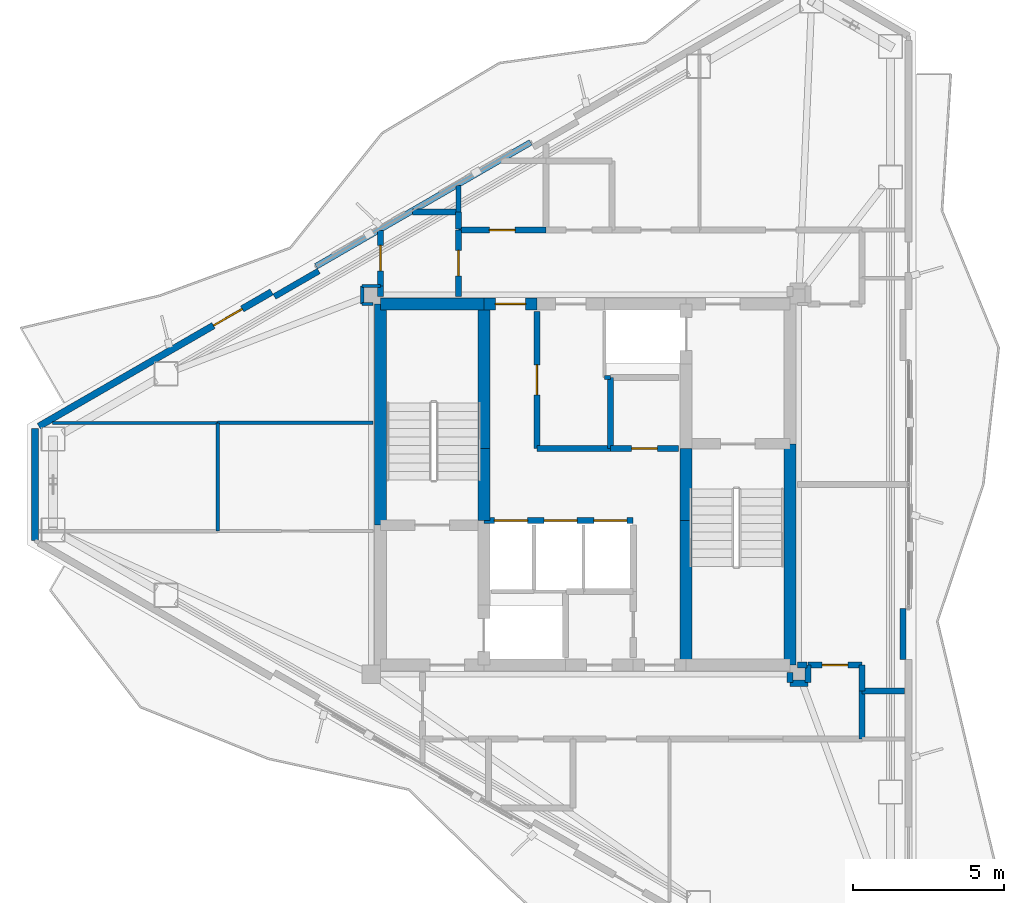
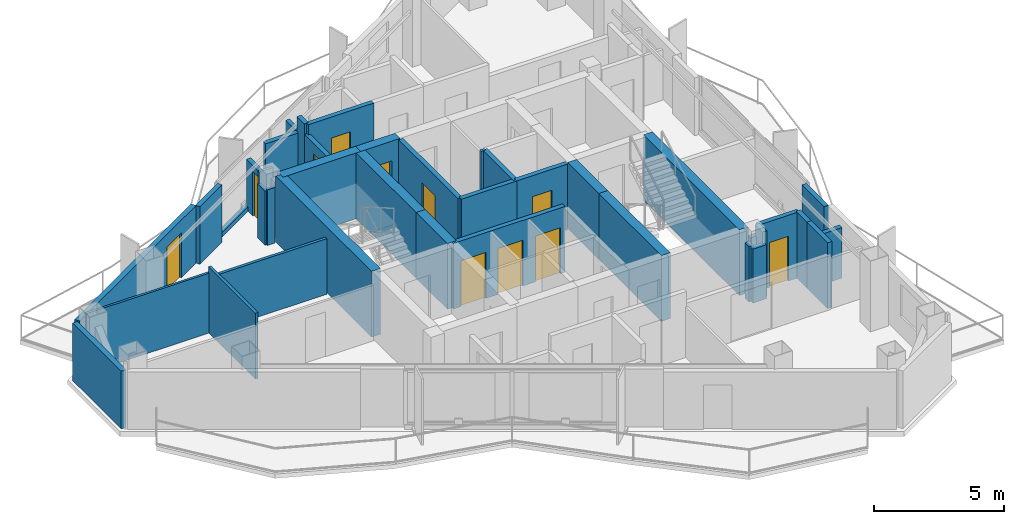
# One storey, part 15 of 18: 40 walls, 11 doors, 11 openings.
"""IFC4 building model written with IfcOpenShell, lengths in metres."""

from ifc_helpers import new_model, si_unit, direction, frame, frame_2d, origin, place, context, subcontext, project, spatial, rectangle, extrude, material, layer, layer_set, type_object, element, fill, save


model = new_model("IFC4")

# Units and contexts
model_context = context("Model", 3, precision=1e-05, world=origin(), true_north=direction((0.0, 1.0)))
body_context = subcontext(model_context, "Body", "Model", "MODEL_VIEW")
ifc_project = project(units=[si_unit("LENGTHUNIT", "METRE"), si_unit("AREAUNIT", "SQUARE_METRE"), si_unit("VOLUMEUNIT", "CUBIC_METRE"), si_unit("PLANEANGLEUNIT", "RADIAN"), si_unit("MASSUNIT", "GRAM", prefix="KILO")], contexts=[model_context])

# Site, building, storey
site_placement = place(None, origin())
site = spatial("IfcSite", under=ifc_project, at=site_placement, CompositionType="ELEMENT")
building_placement = place(site_placement, origin())
building = spatial("IfcBuilding", under=site, at=building_placement, Name="Mersakhor Tower and Convention Hall", CompositionType="ELEMENT")
storey_placement = place(building_placement, frame((0.0, 0.0, 236.39990234375)))
storey = spatial("IfcBuildingStorey", under=building, at=storey_placement, Name="L66", CompositionType="ELEMENT", Elevation=236.39990234375)

# Wall
ifc_material_1 = material(Name="Precast concrete C40/50", Category="concrete")
ifc_layer_1 = layer(ifc_material_1, 0.22509765625)
ifc_layer_set_1 = layer_set([ifc_layer_1], Name="Precast concrete C40/50")
wall_type_1 = type_object("IfcWallType", Name="WL-EXT-225", PredefinedType="SOLIDWALL", material=ifc_layer_set_1)
wall_1_placement = place(storey_placement, frame((10.73193359375, 24.892333984375, 0.0), z_axis=(0.0, 0.0, 1.0), x_axis=(0.0, 1.0, 0.0)))
element("IfcWall", 1, at=wall_1_placement, inside=storey, type_object=wall_type_1, Name="L66 Chamfer Braced Spandrel Wall C3", PredefinedType="SOLIDWALL", context=body_context, shape_type="SweptSolid", body=[
    extrude(rectangle(XDim=3.71533203125, YDim=0.22509765625, at=frame_2d((1.857666015625, 0.0))), origin(), (0.0, 0.0, 1.0), 2.7001953125),
])

# Wall, opening, door
wall_2_placement = place(storey_placement, frame((10.86181640625, 28.6826171875, 0.0), z_axis=(0.0, 0.0, 1.0), x_axis=(0.866026655105, 0.499997832642, 0.0)))
wall_2 = element("IfcWall", 2, at=wall_2_placement, inside=storey, type_object=wall_type_1, Name="L66 Exterior Facade Wall F1-B1", PredefinedType="SOLIDWALL", context=body_context, shape_type="SweptSolid", body=[
    extrude(rectangle(XDim=8.927734375, YDim=0.22509765625, at=frame_2d((4.4638671875, 0.0))), origin(), (0.0, 0.0, 1.0), 2.7001953125),
])
opening_1_placement = place(wall_2_placement, frame((6.696044921875, 0.0, 0.0)))
opening_1 = element("IfcOpeningElement", 3, at=opening_1_placement, cuts=wall_2, Name="Opening BD-02", PredefinedType="OPENING", context=body_context, shape_type="SweptSolid", body=[
    extrude(rectangle(XDim=1.10009765625, YDim=2.10009765625, at=frame_2d((0.550048828125, 1.050048828125))), frame((0.0, 0.12255859375, 0.0), z_axis=(0.0, -1.0, 0.0), x_axis=(1.0, 0.0, 0.0)), (0.0, 0.0, 1.0), 0.2451171875),
])
ifc_material_2 = material(Name="Thermally broken dark aluminium and safety glass", Category="aluminium")
door_type_1 = type_object("IfcDoorType", Name="DR-BAL-110x210", OperationType="NOTDEFINED", PredefinedType="DOOR", material=ifc_material_2)
door_1_placement = place(opening_1_placement, origin())
door_1 = element("IfcDoor", 4, at=door_1_placement, inside=storey, type_object=door_type_1, Name="L66 Balcony Terrace Door F1-B1", OperationType="SINGLE_SWING_RIGHT", OverallHeight=2.10009765625, OverallWidth=1.10009765625, PredefinedType="DOOR", context=body_context, shape_type="SweptSolid", body=[
    extrude(rectangle(XDim=1.10009765625, YDim=2.10009765625, at=frame_2d((0.550048828125, 1.050048828125))), frame((0.0, 0.02490234375, 0.0), z_axis=(0.0, -1.0, 0.0), x_axis=(1.0, 0.0, 0.0)), (0.0, 0.0, 1.0), 0.050048828125),
])
fill(opening_1, door_1)

# Walls
ifc_material_3 = material(Name="Precast concrete C40/50", Category="concrete")
ifc_layer_2 = layer(ifc_material_3, 0.199951171875)
ifc_layer_set_2 = layer_set([ifc_layer_2], Name="Precast concrete C40/50")
wall_type_2 = type_object("IfcWallType", Name="WL-PAR-200", PredefinedType="PARAPET", material=ifc_layer_set_2)
wall_3_placement = place(storey_placement, frame((20.06591796875, 33.99658203125, 0.0), z_axis=(0.0, 0.0, 1.0), x_axis=(0.866019557082, 0.500010126649, 0.0)))
element("IfcWall", 5, at=wall_3_placement, inside=storey, type_object=wall_type_2, Name="L66 Curtain Wall Upstand Sill F1-B2", PredefinedType="PARAPET", context=body_context, shape_type="SweptSolid", body=[
    extrude(rectangle(XDim=8.227783203125, YDim=0.199951171875, at=frame_2d((4.11376953125, 0.0))), origin(), (0.0, 0.0, 1.0), 0.2001953125),
])
wall_4_placement = place(storey_placement, frame((18.68359375, 32.99072265625, 0.0), z_axis=(0.0, 0.0, 1.0), x_axis=(0.866025371046, 0.500000056704, 0.0)))
element("IfcWall", 6, at=wall_4_placement, inside=storey, type_object=wall_type_2, Name="L66 Column Pier Cladding Wall F1-C1", PredefinedType="PARAPET", context=body_context, shape_type="SweptSolid", body=[
    extrude(rectangle(XDim=1.7001953125, YDim=0.199951171875, at=frame_2d((0.85009765625, 0.0))), origin(), (0.0, 0.0, 1.0), 2.7001953125),
])
wall_5_placement = place(storey_placement, frame((39.562744140625, 22.635986328125, 0.0), z_axis=(0.0, 0.0, 1.0), x_axis=(0.0, -1.0, 0.0)))
element("IfcWall", 7, at=wall_5_placement, inside=storey, type_object=wall_type_2, Name="L66 Column Pier Cladding Wall F2-C2", PredefinedType="PARAPET", context=body_context, shape_type="SweptSolid", body=[
    extrude(rectangle(XDim=1.699951171875, YDim=0.199951171875, at=frame_2d((0.85009765625, 0.0))), origin(), (0.0, 0.0, 1.0), 2.7001953125),
])
ifc_material_4 = material(Name="Moisture-resistant acoustic drywall studwork", Category="other")
ifc_layer_3 = layer(ifc_material_4, 0.175048828125)
ifc_layer_set_3 = layer_set([ifc_layer_3], Name="Moisture-resistant acoustic drywall studwork")
wall_type_3 = type_object("IfcWallType", Name="WL-PLM-175", PredefinedType="PLUMBINGWALL", material=ifc_layer_set_3)
wall_6_placement = place(storey_placement, frame((24.800048828125, 35.800048828125, 0.0), z_axis=(0.0, 0.0, 1.0), x_axis=(0.0, 1.0, 0.0)))
element("IfcWall", 8, at=wall_6_placement, inside=storey, type_object=wall_type_3, Name="L66 Interior Partition Wall P-040", PredefinedType="PLUMBINGWALL", context=body_context, shape_type="SweptSolid", body=[
    extrude(rectangle(XDim=0.883544921875, YDim=0.175048828125, at=frame_2d((0.44189453125, 0.0))), origin(), (0.0, 0.0, 1.0), 2.364990234375),
])
ifc_material_5 = material(Name="Lightweight gypsum partition", Category="other")
ifc_layer_4 = layer(ifc_material_5, 0.10009765625)
ifc_layer_set_4 = layer_set([ifc_layer_4], Name="Lightweight gypsum partition")
wall_type_4 = type_object("IfcWallType", Name="WL-PRT-100", PredefinedType="PARTITIONING", material=ifc_layer_set_4)
wall_7_placement = place(storey_placement, frame((22.199951171875, 33.35009765625, 0.0), z_axis=(0.0, 0.0, 1.0), x_axis=(-1.0, 0.0, 0.0)))
element("IfcWall", 9, at=wall_7_placement, inside=storey, type_object=wall_type_4, Name="L66 Interior Partition Wall P-066", PredefinedType="PARTITIONING", context=body_context, shape_type="SweptSolid", body=[
    extrude(rectangle(XDim=0.599853515625, YDim=0.10009765625, at=frame_2d((0.2998046875, 0.0))), origin(), (0.0, 0.0, 1.0), 3.080078125),
])
wall_8_placement = place(storey_placement, frame((21.60009765625, 32.75, 0.0), z_axis=(0.0, 0.0, 1.0), x_axis=(1.0, 0.0, 0.0)))
element("IfcWall", 10, at=wall_8_placement, inside=storey, type_object=wall_type_4, Name="L66 Interior Partition Wall P-068", PredefinedType="PARTITIONING", context=body_context, shape_type="SweptSolid", body=[
    extrude(rectangle(XDim=0.349853515625, YDim=0.10009765625, at=frame_2d((0.1748046875, 0.0))), origin(), (0.0, 0.0, 1.0), 2.60498046875),
])
wall_9_placement = place(storey_placement, frame((16.800048828125, 28.800048828125, 0.0), z_axis=(0.0, 0.0, 1.0), x_axis=(-1.0, 0.0, 0.0)))
element("IfcWall", 11, at=wall_9_placement, inside=storey, type_object=wall_type_4, Name="L66 Interior Partition Wall P-070", PredefinedType="PARTITIONING", context=body_context, shape_type="SweptSolid", body=[
    extrude(rectangle(XDim=5.48681640625, YDim=0.10009765625, at=frame_2d((2.743408203125, 0.0))), origin(), (0.0, 0.0, 1.0), 2.8046875),
])
ifc_material_6 = material(Name="Gypsum board acoustic partition", Category="other")
ifc_layer_5 = layer(ifc_material_6, 0.125)
ifc_layer_set_5 = layer_set([ifc_layer_5], Name="Gypsum board acoustic partition")
wall_type_5 = type_object("IfcWallType", Name="WL-PRT-125", PredefinedType="PARTITIONING", material=ifc_layer_set_5)
wall_10_placement = place(storey_placement, frame((29.85009765625, 30.300048828125, 0.0), z_axis=(0.0, 0.0, 1.0), x_axis=(-1.0, 0.0, 0.0)))
element("IfcWall", 12, at=wall_10_placement, inside=storey, type_object=wall_type_5, Name="L66 Interior Partition Wall P-005", PredefinedType="PARTITIONING", context=body_context, shape_type="SweptSolid", body=[
    extrude(rectangle(XDim=0.2001953125, YDim=0.125, at=frame_2d((0.10009765625, 0.0))), origin(), (0.0, 0.0, 1.0), 3.080078125),
])
wall_11_placement = place(storey_placement, frame((21.60009765625, 33.35009765625, 0.0), z_axis=(0.0, 0.0, 1.0), x_axis=(0.0, -1.0, 0.0)))
element("IfcWall", 13, at=wall_11_placement, inside=storey, type_object=wall_type_5, Name="L66 Interior Partition Wall P-067", PredefinedType="PARTITIONING", context=body_context, shape_type="SweptSolid", body=[
    extrude(rectangle(XDim=0.60009765625, YDim=0.125, at=frame_2d((0.300048828125, 0.0))), origin(), (0.0, 0.0, 1.0), 2.5283203125),
])
wall_12_placement = place(storey_placement, frame((21.949951171875, 28.800048828125, 0.0), z_axis=(0.0, 0.0, 1.0), x_axis=(-1.0, 0.0, 0.0)))
element("IfcWall", 14, at=wall_12_placement, inside=storey, type_object=wall_type_5, Name="L66 Interior Partition Wall P-069", PredefinedType="PARTITIONING", context=body_context, shape_type="SweptSolid", body=[
    extrude(rectangle(XDim=5.14990234375, YDim=0.125, at=frame_2d((2.574951171875, 0.0))), origin(), (0.0, 0.0, 1.0), 2.60498046875),
])
wall_13_placement = place(storey_placement, frame((16.800048828125, 25.199951171875, 0.0), z_axis=(0.0, 0.0, 1.0), x_axis=(0.0, 1.0, 0.0)))
element("IfcWall", 15, at=wall_13_placement, inside=storey, type_object=wall_type_5, Name="L66 Interior Partition Wall P-071", PredefinedType="PARTITIONING", context=body_context, shape_type="SweptSolid", body=[
    extrude(rectangle(XDim=3.60009765625, YDim=0.125, at=frame_2d((1.800048828125, 0.0))), origin(), (0.0, 0.0, 1.0), 3.080078125),
])

# Wall, openings, doors
ifc_material_7 = material(Name="Acoustic concrete blockwork and gypsum board", Category="masonry")
ifc_layer_6 = layer(ifc_material_7, 0.199951171875)
ifc_layer_set_6 = layer_set([ifc_layer_6], Name="Acoustic concrete blockwork and gypsum board")
wall_type_6 = type_object("IfcWallType", Name="WL-PRT-200", PredefinedType="PARTITIONING", material=ifc_layer_set_6)
wall_14_placement = place(storey_placement, frame((25.64990234375, 25.550048828125, 0.0), z_axis=(0.0, 0.0, 1.0), x_axis=(1.0, 0.0, 0.0)))
wall_14 = element("IfcWall", 16, at=wall_14_placement, inside=storey, type_object=wall_type_6, Name="L66 High-Rise Lift Bank Front Wall", PredefinedType="PARTITIONING", context=body_context, shape_type="SweptSolid", body=[
    extrude(rectangle(XDim=4.9501953125, YDim=0.199951171875, at=frame_2d((2.47509765625, 0.0))), origin(), (0.0, 0.0, 1.0), 3.080078125),
])
opening_2_placement = place(wall_14_placement, frame((0.340087890625, 0.0, 0.0)))
opening_2 = element("IfcOpeningElement", 17, at=opening_2_placement, cuts=wall_14, Name="Opening LD-P4", PredefinedType="OPENING", context=body_context, shape_type="SweptSolid", body=[
    extrude(rectangle(XDim=1.10009765625, YDim=2.14990234375, at=frame_2d((0.550048828125, 1.074951171875))), frame((0.0, 0.10986328125, 0.0), z_axis=(0.0, -1.0, 0.0), x_axis=(1.0, 0.0, 0.0)), (0.0, 0.0, 1.0), 0.219970703125),
])
opening_3_placement = place(wall_14_placement, frame((1.989990234375, 0.0, 0.0)))
opening_3 = element("IfcOpeningElement", 18, at=opening_3_placement, cuts=wall_14, Name="Opening LD-P5", PredefinedType="OPENING", context=body_context, shape_type="SweptSolid", body=[
    extrude(rectangle(XDim=1.10009765625, YDim=2.14990234375, at=frame_2d((0.550048828125, 1.074951171875))), frame((0.0, 0.10986328125, 0.0), z_axis=(0.0, -1.0, 0.0), x_axis=(1.0, 0.0, 0.0)), (0.0, 0.0, 1.0), 0.219970703125),
])
opening_4_placement = place(wall_14_placement, frame((3.639892578125, 0.0, 0.0)))
opening_4 = element("IfcOpeningElement", 19, at=opening_4_placement, cuts=wall_14, Name="Opening LD-P6", PredefinedType="OPENING", context=body_context, shape_type="SweptSolid", body=[
    extrude(rectangle(XDim=1.10009765625, YDim=2.14990234375, at=frame_2d((0.550048828125, 1.074951171875))), frame((0.0, 0.10986328125, 0.0), z_axis=(0.0, -1.0, 0.0), x_axis=(1.0, 0.0, 0.0)), (0.0, 0.0, 1.0), 0.219970703125),
])
ifc_material_8 = material(Name="Fire-rated brushed stainless steel sliding landing door", Category="steel")
door_type_2 = type_object("IfcDoorType", Name="DR-LIFT-SLD-110x215", OperationType="NOTDEFINED", PredefinedType="DOOR", material=ifc_material_8)
door_2_placement = place(opening_2_placement, origin())
door_2 = element("IfcDoor", 20, at=door_2_placement, inside=storey, type_object=door_type_2, Name="L66 Lift Landing Door LD-P4", OperationType="SLIDING_TO_LEFT", OverallHeight=2.14990234375, OverallWidth=1.10009765625, PredefinedType="DOOR", context=body_context, shape_type="SweptSolid", body=[
    extrude(rectangle(XDim=1.10009765625, YDim=2.14990234375, at=frame_2d((0.550048828125, 1.074951171875))), frame((0.0, 0.02490234375, 0.0), z_axis=(0.0, -1.0, 0.0), x_axis=(1.0, 0.0, 0.0)), (0.0, 0.0, 1.0), 0.050048828125),
])
fill(opening_2, door_2)
door_3_placement = place(opening_3_placement, origin())
door_3 = element("IfcDoor", 21, at=door_3_placement, inside=storey, type_object=door_type_2, Name="L66 Lift Landing Door LD-P5", OperationType="SLIDING_TO_LEFT", OverallHeight=2.14990234375, OverallWidth=1.10009765625, PredefinedType="DOOR", context=body_context, shape_type="SweptSolid", body=[
    extrude(rectangle(XDim=1.10009765625, YDim=2.14990234375, at=frame_2d((0.550048828125, 1.074951171875))), frame((0.0, 0.02490234375, 0.0), z_axis=(0.0, -1.0, 0.0), x_axis=(1.0, 0.0, 0.0)), (0.0, 0.0, 1.0), 0.050048828125),
])
fill(opening_3, door_3)
door_4_placement = place(opening_4_placement, origin())
door_4 = element("IfcDoor", 22, at=door_4_placement, inside=storey, type_object=door_type_2, Name="L66 Lift Landing Door LD-P6", OperationType="SLIDING_TO_LEFT", OverallHeight=2.14990234375, OverallWidth=1.10009765625, PredefinedType="DOOR", context=body_context, shape_type="SweptSolid", body=[
    extrude(rectangle(XDim=1.10009765625, YDim=2.14990234375, at=frame_2d((0.550048828125, 1.074951171875))), frame((0.0, 0.02490234375, 0.0), z_axis=(0.0, -1.0, 0.0), x_axis=(1.0, 0.0, 0.0)), (0.0, 0.0, 1.0), 0.050048828125),
])
fill(opening_4, door_4)

# Wall, opening, door
wall_15_placement = place(storey_placement, frame((27.39990234375, 32.5, 0.0), z_axis=(0.0, 0.0, 1.0), x_axis=(0.0, -1.0, 0.0)))
wall_15 = element("IfcWall", 23, at=wall_15_placement, inside=storey, type_object=wall_type_6, Name="L66 Interior Partition Wall P-013", PredefinedType="PARTITIONING", context=body_context, shape_type="SweptSolid", body=[
    extrude(rectangle(XDim=4.550048828125, YDim=0.199951171875, at=frame_2d((2.27490234375, 0.0))), origin(), (0.0, 0.0, 1.0), 3.080078125),
])
opening_5_placement = place(wall_15_placement, frame((1.77490234375, 0.0, 0.0)))
opening_5 = element("IfcOpeningElement", 24, at=opening_5_placement, cuts=wall_15, Name="Opening FD-01", PredefinedType="OPENING", context=body_context, shape_type="SweptSolid", body=[
    extrude(rectangle(XDim=1.0, YDim=2.14990234375, at=frame_2d((0.5, 1.074951171875))), frame((0.0, 0.10986328125, 0.0), z_axis=(0.0, -1.0, 0.0), x_axis=(1.0, 0.0, 0.0)), (0.0, 0.0, 1.0), 0.219970703125),
])
ifc_material_9 = material(Name="Fire-rated hardwood leaf and painted steel frame", Category="steel")
door_type_3 = type_object("IfcDoorType", Name="DR-INT-FLT-100x215", OperationType="NOTDEFINED", PredefinedType="DOOR", material=ifc_material_9)
door_5_placement = place(opening_5_placement, origin())
door_5 = element("IfcDoor", 25, at=door_5_placement, inside=storey, type_object=door_type_3, Name="L66 Central Passenger Lift Lobby to Communal Resident Laundry Room Door", OperationType="SINGLE_SWING_RIGHT", OverallHeight=2.14990234375, OverallWidth=1.0, PredefinedType="DOOR", context=body_context, shape_type="SweptSolid", body=[
    extrude(rectangle(XDim=1.0, YDim=2.14990234375, at=frame_2d((0.5, 1.074951171875))), frame((0.0, 0.02490234375, 0.0), z_axis=(0.0, -1.0, 0.0), x_axis=(1.0, 0.0, 0.0)), (0.0, 0.0, 1.0), 0.050048828125),
])
fill(opening_5, door_5)

# Wall
wall_16_placement = place(storey_placement, frame((27.39990234375, 27.949951171875, 0.0), z_axis=(0.0, 0.0, 1.0), x_axis=(1.0, 0.0, 0.0)))
element("IfcWall", 26, at=wall_16_placement, inside=storey, type_object=wall_type_6, Name="L66 Interior Partition Wall P-014", PredefinedType="PARTITIONING", context=body_context, shape_type="SweptSolid", body=[
    extrude(rectangle(XDim=2.4501953125, YDim=0.199951171875, at=frame_2d((1.22509765625, 0.0))), origin(), (0.0, 0.0, 1.0), 3.080078125),
])

# Wall, opening, door
wall_17_placement = place(storey_placement, frame((29.85009765625, 27.949951171875, 0.0), z_axis=(0.0, 0.0, 1.0), x_axis=(1.0, 0.0, 0.0)))
wall_17 = element("IfcWall", 27, at=wall_17_placement, inside=storey, type_object=wall_type_6, Name="L66 Interior Partition Wall P-015", PredefinedType="PARTITIONING", context=body_context, shape_type="SweptSolid", body=[
    extrude(rectangle(XDim=2.25, YDim=0.199951171875, at=frame_2d((1.125, 0.0))), origin(), (0.0, 0.0, 1.0), 3.080078125),
])
opening_6_placement = place(wall_17_placement, frame((0.699951171875, 0.0, 0.0)))
opening_6 = element("IfcOpeningElement", 28, at=opening_6_placement, cuts=wall_17, Name="Opening SVD-01", PredefinedType="OPENING", context=body_context, shape_type="SweptSolid", body=[
    extrude(rectangle(XDim=0.85009765625, YDim=2.10009765625, at=frame_2d((0.425048828125, 1.050048828125))), frame((0.0, 0.10986328125, 0.0), z_axis=(0.0, -1.0, 0.0), x_axis=(1.0, 0.0, 0.0)), (0.0, 0.0, 1.0), 0.219970703125),
])
ifc_material_10 = material(Name="Fire-rated hardwood leaf and painted steel frame", Category="steel")
door_type_4 = type_object("IfcDoorType", Name="DR-INT-SVC-085x210", OperationType="NOTDEFINED", PredefinedType="DOOR", material=ifc_material_10)
door_6_placement = place(opening_6_placement, origin())
door_6 = element("IfcDoor", 29, at=door_6_placement, inside=storey, type_object=door_type_4, Name="L66 Central Passenger Lift Lobby to Resident Pram and Linen Store Room Door", OperationType="SINGLE_SWING_LEFT", OverallHeight=2.10009765625, OverallWidth=0.85009765625, PredefinedType="DOOR", context=body_context, shape_type="SweptSolid", body=[
    extrude(rectangle(XDim=0.85009765625, YDim=2.10009765625, at=frame_2d((0.425048828125, 1.050048828125))), frame((0.0, 0.02490234375, 0.0), z_axis=(0.0, -1.0, 0.0), x_axis=(1.0, 0.0, 0.0)), (0.0, 0.0, 1.0), 0.050048828125),
])
fill(opening_6, door_6)

wall_18_placement = place(storey_placement, frame((24.800048828125, 35.199951171875, 0.0), z_axis=(0.0, 0.0, 1.0), x_axis=(1.0, 0.0, 0.0)))
wall_18 = element("IfcWall", 30, at=wall_18_placement, inside=storey, type_object=wall_type_6, Name="L66 Interior Partition Wall P-016", PredefinedType="PARTITIONING", context=body_context, shape_type="SweptSolid", body=[
    extrude(rectangle(XDim=2.89990234375, YDim=0.199951171875, at=frame_2d((1.449951171875, 0.0))), origin(), (0.0, 0.0, 1.0), 3.080078125),
])
opening_7_placement = place(wall_18_placement, frame((1.02490234375, 0.0, 0.0)))
opening_7 = element("IfcOpeningElement", 31, at=opening_7_placement, cuts=wall_18, Name="Opening SVD-01", PredefinedType="OPENING", context=body_context, shape_type="SweptSolid", body=[
    extrude(rectangle(XDim=0.85009765625, YDim=2.10009765625, at=frame_2d((0.425048828125, 1.050048828125))), frame((0.0, 0.10986328125, 0.0), z_axis=(0.0, -1.0, 0.0), x_axis=(1.0, 0.0, 0.0)), (0.0, 0.0, 1.0), 0.219970703125),
])
door_7_placement = place(opening_7_placement, origin())
door_7 = element("IfcDoor", 32, at=door_7_placement, inside=storey, type_object=door_type_4, Name="L66 Residential North Gallery Corridor to L66 Floor Shared Restroom WC 1-1 Door", OperationType="SINGLE_SWING_LEFT", OverallHeight=2.10009765625, OverallWidth=0.85009765625, PredefinedType="DOOR", context=body_context, shape_type="SweptSolid", body=[
    extrude(rectangle(XDim=0.85009765625, YDim=2.10009765625, at=frame_2d((0.425048828125, 1.050048828125))), frame((0.0, 0.02490234375, 0.0), z_axis=(0.0, -1.0, 0.0), x_axis=(1.0, 0.0, 0.0)), (0.0, 0.0, 1.0), 0.050048828125),
])
fill(opening_7, door_7)

wall_19_placement = place(storey_placement, frame((24.800048828125, 33.0, 0.0), z_axis=(0.0, 0.0, 1.0), x_axis=(0.0, 1.0, 0.0)))
wall_19 = element("IfcWall", 33, at=wall_19_placement, inside=storey, type_object=wall_type_6, Name="L66 Interior Partition Wall P-026", PredefinedType="PARTITIONING", context=body_context, shape_type="SweptSolid", body=[
    extrude(rectangle(XDim=2.199951171875, YDim=0.199951171875, at=frame_2d((1.10009765625, 0.0))), origin(), (0.0, 0.0, 1.0), 2.60498046875),
])
opening_8_placement = place(wall_19_placement, frame((0.675048828125, 0.0, 0.0)))
opening_8 = element("IfcOpeningElement", 34, at=opening_8_placement, cuts=wall_19, Name="Opening SVD-01", PredefinedType="OPENING", context=body_context, shape_type="SweptSolid", body=[
    extrude(rectangle(XDim=0.85009765625, YDim=2.10009765625, at=frame_2d((0.425048828125, 1.050048828125))), frame((0.0, 0.10986328125, 0.0), z_axis=(0.0, -1.0, 0.0), x_axis=(1.0, 0.0, 0.0)), (0.0, 0.0, 1.0), 0.219970703125),
])
door_8_placement = place(opening_8_placement, origin())
door_8 = element("IfcDoor", 35, at=door_8_placement, inside=storey, type_object=door_type_4, Name="L66 Residential North Gallery Corridor to L66 Floor Household Store Room 3-1 Door", OperationType="SINGLE_SWING_LEFT", OverallHeight=2.10009765625, OverallWidth=0.85009765625, PredefinedType="DOOR", context=body_context, shape_type="SweptSolid", body=[
    extrude(rectangle(XDim=0.85009765625, YDim=2.10009765625, at=frame_2d((0.425048828125, 1.050048828125))), frame((0.0, 0.02490234375, 0.0), z_axis=(0.0, -1.0, 0.0), x_axis=(1.0, 0.0, 0.0)), (0.0, 0.0, 1.0), 0.050048828125),
])
fill(opening_8, door_8)

# Walls
wall_20_placement = place(storey_placement, frame((35.800048828125, 20.14990234375, 0.0), z_axis=(0.0, 0.0, 1.0), x_axis=(1.0, 0.0, 0.0)))
element("IfcWall", 36, at=wall_20_placement, inside=storey, type_object=wall_type_6, Name="L66 Interior Partition Wall P-027", PredefinedType="PARTITIONING", context=body_context, shape_type="SweptSolid", body=[
    extrude(rectangle(XDim=0.599853515625, YDim=0.199951171875, at=frame_2d((0.2998046875, 0.0))), origin(), (0.0, 0.0, 1.0), 2.5283203125),
])
wall_21_placement = place(storey_placement, frame((36.39990234375, 20.179931640625, 0.0), z_axis=(0.0, 0.0, 1.0), x_axis=(0.0, 1.0, 0.0)))
element("IfcWall", 37, at=wall_21_placement, inside=storey, type_object=wall_type_6, Name="L66 Interior Partition Wall P-028", PredefinedType="PARTITIONING", context=body_context, shape_type="SweptSolid", body=[
    extrude(rectangle(XDim=0.570068359375, YDim=0.199951171875, at=frame_2d((0.28515625, 0.0))), origin(), (0.0, 0.0, 1.0), 3.080078125),
])

# Wall, opening, door
wall_22_placement = place(storey_placement, frame((36.39990234375, 20.75, 0.0), z_axis=(0.0, 0.0, 1.0), x_axis=(1.0, 0.0, 0.0)))
wall_22 = element("IfcWall", 38, at=wall_22_placement, inside=storey, type_object=wall_type_6, Name="L66 Interior Partition Wall P-029", PredefinedType="PARTITIONING", context=body_context, shape_type="SweptSolid", body=[
    extrude(rectangle(XDim=1.800048828125, YDim=0.199951171875, at=frame_2d((0.89990234375, 0.0))), origin(), (0.0, 0.0, 1.0), 3.080078125),
])
opening_9_placement = place(wall_22_placement, frame((0.47509765625, 0.0, 0.0)))
opening_9 = element("IfcOpeningElement", 39, at=opening_9_placement, cuts=wall_22, Name="Opening SVD-01", PredefinedType="OPENING", context=body_context, shape_type="SweptSolid", body=[
    extrude(rectangle(XDim=0.85009765625, YDim=2.10009765625, at=frame_2d((0.425048828125, 1.050048828125))), frame((0.0, 0.10986328125, 0.0), z_axis=(0.0, -1.0, 0.0), x_axis=(1.0, 0.0, 0.0)), (0.0, 0.0, 1.0), 0.219970703125),
])
door_9_placement = place(opening_9_placement, origin())
door_9 = element("IfcDoor", 40, at=door_9_placement, inside=storey, type_object=door_type_4, Name="L66 Residential South Gallery Corridor to L66 East Crown Household Store Door", OperationType="SINGLE_SWING_RIGHT", OverallHeight=2.10009765625, OverallWidth=0.85009765625, PredefinedType="DOOR", context=body_context, shape_type="SweptSolid", body=[
    extrude(rectangle(XDim=0.85009765625, YDim=2.10009765625, at=frame_2d((0.425048828125, 1.050048828125))), frame((0.0, 0.02490234375, 0.0), z_axis=(0.0, -1.0, 0.0), x_axis=(1.0, 0.0, 0.0)), (0.0, 0.0, 1.0), 0.050048828125),
])
fill(opening_9, door_9)

# Walls
wall_23_placement = place(storey_placement, frame((38.199951171875, 20.75, 0.0), z_axis=(0.0, 0.0, 1.0), x_axis=(0.0, -1.0, 0.0)))
element("IfcWall", 41, at=wall_23_placement, inside=storey, type_object=wall_type_6, Name="L66 Interior Partition Wall P-030", PredefinedType="PARTITIONING", context=body_context, shape_type="SweptSolid", body=[
    extrude(rectangle(XDim=0.85009765625, YDim=0.199951171875, at=frame_2d((0.425048828125, 0.0))), origin(), (0.0, 0.0, 1.0), 3.080078125),
])
wall_24_placement = place(storey_placement, frame((38.199951171875, 19.89990234375, 0.0), z_axis=(0.0, 0.0, 1.0), x_axis=(0.0, -1.0, 0.0)))
element("IfcWall", 42, at=wall_24_placement, inside=storey, type_object=wall_type_6, Name="L66 Interior Partition Wall P-031", PredefinedType="PARTITIONING", context=body_context, shape_type="SweptSolid", body=[
    extrude(rectangle(XDim=1.599853515625, YDim=0.199951171875, at=frame_2d((0.7998046875, 0.0))), origin(), (0.0, 0.0, 1.0), 3.080078125),
])
wall_25_placement = place(storey_placement, frame((35.800048828125, 20.5, 0.0), z_axis=(0.0, 0.0, 1.0), x_axis=(0.0, -1.0, 0.0)))
element("IfcWall", 43, at=wall_25_placement, inside=storey, type_object=wall_type_6, Name="L66 Interior Partition Wall P-037", PredefinedType="PARTITIONING", context=body_context, shape_type="SweptSolid", body=[
    extrude(rectangle(XDim=0.320068359375, YDim=0.199951171875, at=frame_2d((0.16015625, 0.0))), origin(), (0.0, 0.0, 1.0), 2.60498046875),
])
wall_26_placement = place(storey_placement, frame((24.800048828125, 35.22998046875, 0.0), z_axis=(0.0, 0.0, 1.0), x_axis=(0.0, 1.0, 0.0)))
element("IfcWall", 44, at=wall_26_placement, inside=storey, type_object=wall_type_6, Name="L66 Interior Partition Wall P-039", PredefinedType="PARTITIONING", context=body_context, shape_type="SweptSolid", body=[
    extrude(rectangle(XDim=0.570068359375, YDim=0.199951171875, at=frame_2d((0.28515625, 0.0))), origin(), (0.0, 0.0, 1.0), 3.080078125),
])
wall_27_placement = place(storey_placement, frame((29.85009765625, 30.300048828125, 0.0), z_axis=(0.0, 0.0, 1.0), x_axis=(0.0, -1.0, 0.0)))
element("IfcWall", 45, at=wall_27_placement, inside=storey, type_object=wall_type_6, Name="L66 Interior Partition Wall P-044", PredefinedType="PARTITIONING", context=body_context, shape_type="SweptSolid", body=[
    extrude(rectangle(XDim=2.35009765625, YDim=0.199951171875, at=frame_2d((1.175048828125, 0.0))), origin(), (0.0, 0.0, 1.0), 3.080078125),
])
wall_28_placement = place(storey_placement, frame((36.3701171875, 20.75, 0.0), z_axis=(0.0, 0.0, 1.0), x_axis=(-1.0, 0.0, 0.0)))
element("IfcWall", 46, at=wall_28_placement, inside=storey, type_object=wall_type_6, Name="L66 Interior Partition Wall P-057", PredefinedType="PARTITIONING", context=body_context, shape_type="SweptSolid", body=[
    extrude(rectangle(XDim=0.320068359375, YDim=0.199951171875, at=frame_2d((0.16015625, 0.0))), origin(), (0.0, 0.0, 1.0), 2.60498046875),
])
wall_29_placement = place(storey_placement, frame((39.606201171875, 19.89990234375, 0.0), z_axis=(0.0, 0.0, 1.0), x_axis=(-1.0, 0.0, 0.0)))
element("IfcWall", 47, at=wall_29_placement, inside=storey, type_object=wall_type_6, Name="L66 Interior Partition Wall P-058", PredefinedType="PARTITIONING", context=body_context, shape_type="SweptSolid", body=[
    extrude(rectangle(XDim=1.40625, YDim=0.199951171875, at=frame_2d((0.703125, 0.0))), origin(), (0.0, 0.0, 1.0), 2.364990234375),
])
wall_30_placement = place(storey_placement, frame((22.199951171875, 33.0, 0.0), z_axis=(0.0, 0.0, 1.0), x_axis=(0.0, 1.0, 0.0)))
element("IfcWall", 48, at=wall_30_placement, inside=storey, type_object=wall_type_6, Name="L66 Interior Partition Wall P-063", PredefinedType="PARTITIONING", context=body_context, shape_type="SweptSolid", body=[
    extrude(rectangle(XDim=0.35009765625, YDim=0.199951171875, at=frame_2d((0.175048828125, 0.0))), origin(), (0.0, 0.0, 1.0), 2.60498046875),
])

# Wall, opening, door
wall_31_placement = place(storey_placement, frame((22.199951171875, 33.35009765625, 0.0), z_axis=(0.0, 0.0, 1.0), x_axis=(0.0, 1.0, 0.0)))
wall_31 = element("IfcWall", 49, at=wall_31_placement, inside=storey, type_object=wall_type_6, Name="L66 Interior Partition Wall P-064", PredefinedType="PARTITIONING", context=body_context, shape_type="SweptSolid", body=[
    extrude(rectangle(XDim=1.83251953125, YDim=0.199951171875, at=frame_2d((0.916259765625, 0.0))), origin(), (0.0, 0.0, 1.0), 2.364990234375),
])
opening_10_placement = place(wall_31_placement, frame((0.4912109375, 0.0, 0.0)))
opening_10 = element("IfcOpeningElement", 50, at=opening_10_placement, cuts=wall_31, Name="Opening SVD-01", PredefinedType="OPENING", context=body_context, shape_type="SweptSolid", body=[
    extrude(rectangle(XDim=0.85009765625, YDim=2.10009765625, at=frame_2d((0.425048828125, 1.050048828125))), frame((0.0, 0.10986328125, 0.0), z_axis=(0.0, -1.0, 0.0), x_axis=(1.0, 0.0, 0.0)), (0.0, 0.0, 1.0), 0.219970703125),
])
door_10_placement = place(opening_10_placement, origin())
door_10 = element("IfcDoor", 51, at=door_10_placement, inside=storey, type_object=door_type_4, Name="L66 L66 Floor Household Store Room 3-1 to L66 Floor Residents Study Room 3-2 Door", OperationType="SINGLE_SWING_LEFT", OverallHeight=2.10009765625, OverallWidth=0.85009765625, PredefinedType="DOOR", context=body_context, shape_type="SweptSolid", body=[
    extrude(rectangle(XDim=0.85009765625, YDim=2.10009765625, at=frame_2d((0.425048828125, 1.050048828125))), frame((0.0, 0.02490234375, 0.0), z_axis=(0.0, -1.0, 0.0), x_axis=(1.0, 0.0, 0.0)), (0.0, 0.0, 1.0), 0.050048828125),
])
fill(opening_10, door_10)

# Walls
wall_32_placement = place(storey_placement, frame((23.26220703125, 35.800048828125, 0.0), z_axis=(0.0, 0.0, 1.0), x_axis=(1.0, 0.0, 0.0)))
element("IfcWall", 52, at=wall_32_placement, inside=storey, type_object=wall_type_6, Name="L66 Interior Partition Wall P-065", PredefinedType="PARTITIONING", context=body_context, shape_type="SweptSolid", body=[
    extrude(rectangle(XDim=1.537841796875, YDim=0.199951171875, at=frame_2d((0.76904296875, 0.0))), origin(), (0.0, 0.0, 1.0), 2.364990234375),
])
ifc_material_11 = material(Name="Concrete C60/75", Category="concrete")
ifc_layer_7 = layer(ifc_material_11, 0.39990234375)
ifc_layer_set_7 = layer_set([ifc_layer_7], Name="Concrete C60/75")
wall_type_7 = type_object("IfcWallType", Name="WL-SHR-400", PredefinedType="SHEAR", material=ifc_layer_set_7)
wall_33_placement = place(storey_placement, frame((22.199951171875, 25.39990234375, 0.0), z_axis=(0.0, 0.0, 1.0), x_axis=(0.0, 1.0, 0.0)))
element("IfcWall", 53, at=wall_33_placement, inside=storey, type_object=wall_type_7, Name="L66 Core Wall CW-W2", PredefinedType="SHEAR", context=body_context, shape_type="SweptSolid", body=[
    extrude(rectangle(XDim=7.35009765625, YDim=0.39990234375, at=frame_2d((3.675048828125, 0.0))), origin(), (0.0, 0.0, 1.0), 3.080078125),
])
wall_34_placement = place(storey_placement, frame((22.199951171875, 32.75, 0.0), z_axis=(0.0, 0.0, 1.0), x_axis=(1.0, 0.0, 0.0)))
element("IfcWall", 54, at=wall_34_placement, inside=storey, type_object=wall_type_7, Name="L66 Core Wall CW-N1", PredefinedType="SHEAR", context=body_context, shape_type="SweptSolid", body=[
    extrude(rectangle(XDim=3.449951171875, YDim=0.39990234375, at=frame_2d((1.72509765625, 0.0))), origin(), (0.0, 0.0, 1.0), 3.080078125),
])

# Wall, opening, door
wall_35_placement = place(storey_placement, frame((25.64990234375, 32.75, 0.0), z_axis=(0.0, 0.0, 1.0), x_axis=(1.0, 0.0, 0.0)))
wall_35 = element("IfcWall", 55, at=wall_35_placement, inside=storey, type_object=wall_type_7, Name="L66 Core Wall CW-N2A", PredefinedType="SHEAR", context=body_context, shape_type="SweptSolid", body=[
    extrude(rectangle(XDim=1.75, YDim=0.39990234375, at=frame_2d((0.875, 0.0))), origin(), (0.0, 0.0, 1.0), 3.080078125),
])
opening_11_placement = place(wall_35_placement, frame((0.375, 0.0, 0.0)))
opening_11 = element("IfcOpeningElement", 56, at=opening_11_placement, cuts=wall_35, Name="Opening CFD-01", PredefinedType="OPENING", context=body_context, shape_type="SweptSolid", body=[
    extrude(rectangle(XDim=1.0, YDim=2.14990234375, at=frame_2d((0.5, 1.074951171875))), frame((0.0, 0.2099609375, 0.0), z_axis=(0.0, -1.0, 0.0), x_axis=(1.0, 0.0, 0.0)), (0.0, 0.0, 1.0), 0.419921875),
])
ifc_material_12 = material(Name="Fire-rated hardwood leaf and painted steel frame", Category="steel")
door_type_5 = type_object("IfcDoorType", Name="DR-CORE-FD-100x215", OperationType="NOTDEFINED", PredefinedType="DOOR", material=ifc_material_12)
door_11_placement = place(opening_11_placement, origin())
door_11 = element("IfcDoor", 57, at=door_11_placement, inside=storey, type_object=door_type_5, Name="L66 Lift Lobby North Corridor Door", OperationType="SINGLE_SWING_LEFT", OverallHeight=2.14990234375, OverallWidth=1.0, PredefinedType="DOOR", context=body_context, shape_type="SweptSolid", body=[
    extrude(rectangle(XDim=1.0, YDim=2.14990234375, at=frame_2d((0.5, 1.074951171875))), frame((0.0, 0.02490234375, 0.0), z_axis=(0.0, -1.0, 0.0), x_axis=(1.0, 0.0, 0.0)), (0.0, 0.0, 1.0), 0.050048828125),
])
fill(opening_11, door_11)

# Walls
wall_36_placement = place(storey_placement, frame((35.800048828125, 28.10009765625, 0.0), z_axis=(0.0, 0.0, 1.0), x_axis=(0.0, -1.0, 0.0)))
element("IfcWall", 58, at=wall_36_placement, inside=storey, type_object=wall_type_7, Name="L66 Core Wall CW-E2", PredefinedType="SHEAR", context=body_context, shape_type="SweptSolid", body=[
    extrude(rectangle(XDim=7.35009765625, YDim=0.39990234375, at=frame_2d((3.675048828125, 0.0))), origin(), (0.0, 0.0, 1.0), 3.080078125),
])
wall_37_placement = place(storey_placement, frame((25.64990234375, 25.550048828125, 0.0), z_axis=(0.0, 0.0, 1.0), x_axis=(0.0, 1.0, 0.0)))
element("IfcWall", 59, at=wall_37_placement, inside=storey, type_object=wall_type_7, Name="L66 Core Wall CS-W-LOB", PredefinedType="SHEAR", context=body_context, shape_type="SweptSolid", body=[
    extrude(rectangle(XDim=2.39990234375, YDim=0.39990234375, at=frame_2d((1.199951171875, 0.0))), origin(), (0.0, 0.0, 1.0), 3.080078125),
])
for number, where, z_axis, x_axis, name in (
    (60, (25.64990234375, 27.949951171875, 0.0), (0.0, 0.0, 1.0), (0.0, 1.0, 0.0), "L66 Core Wall CS-W-ST1"),
    (61, (32.35009765625, 20.75, 0.0), (0.0, 0.0, 1.0), (0.0, 1.0, 0.0), "L66 Core Wall CS-E-ST2"),
):
    element("IfcWall", number, at=place(storey_placement, frame(where, z_axis=z_axis, x_axis=x_axis)), inside=storey, type_object=wall_type_7, Name=name, PredefinedType="SHEAR", context=body_context, shape_type="SweptSolid", body=[
        extrude(rectangle(XDim=4.800048828125, YDim=0.39990234375, at=frame_2d((2.39990234375, 0.0))), origin(), (0.0, 0.0, 1.0), 3.080078125),
    ])
wall_38_placement = place(storey_placement, frame((32.35009765625, 25.550048828125, 0.0), z_axis=(0.0, 0.0, 1.0), x_axis=(0.0, 1.0, 0.0)))
element("IfcWall", 62, at=wall_38_placement, inside=storey, type_object=wall_type_7, Name="L66 Core Wall CS-E-LOB", PredefinedType="SHEAR", context=body_context, shape_type="SweptSolid", body=[
    extrude(rectangle(XDim=2.39990234375, YDim=0.39990234375, at=frame_2d((1.199951171875, 0.0))), origin(), (0.0, 0.0, 1.0), 3.080078125),
])

save(model, "model.ifc")
